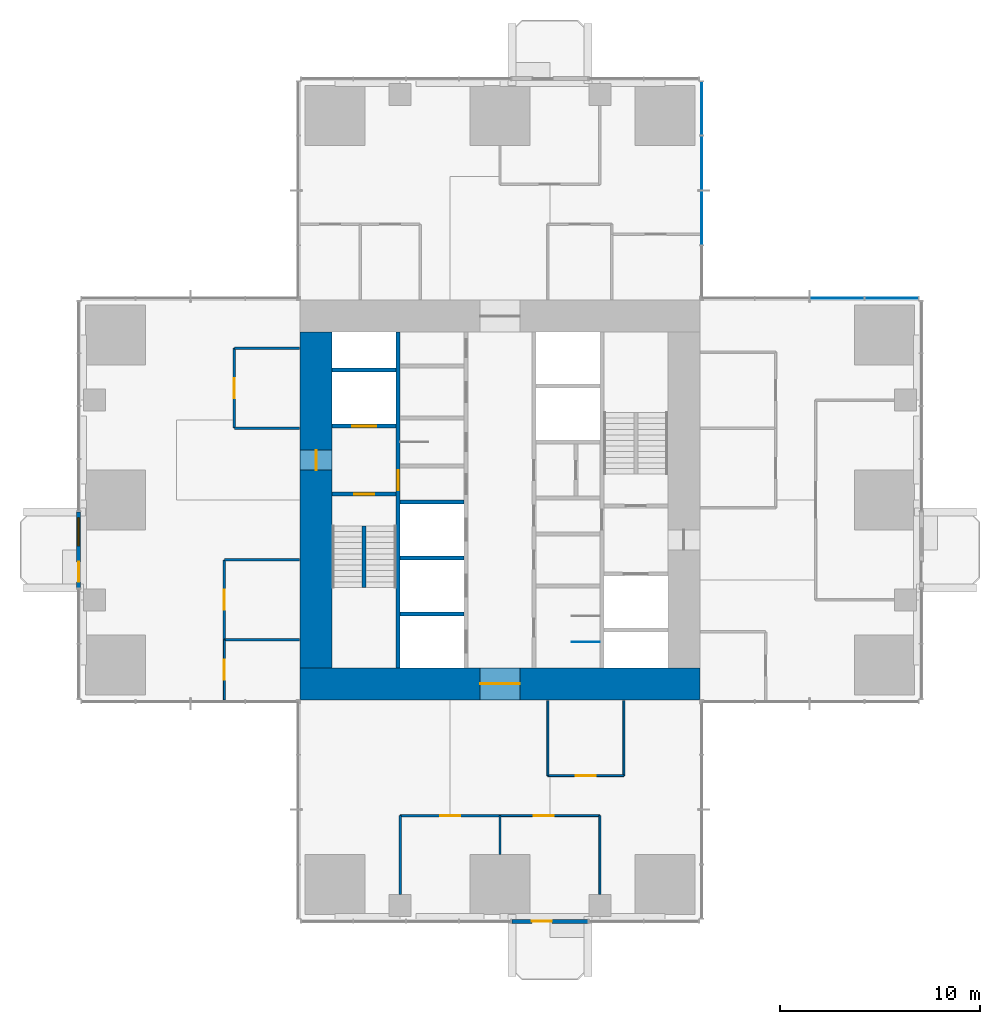
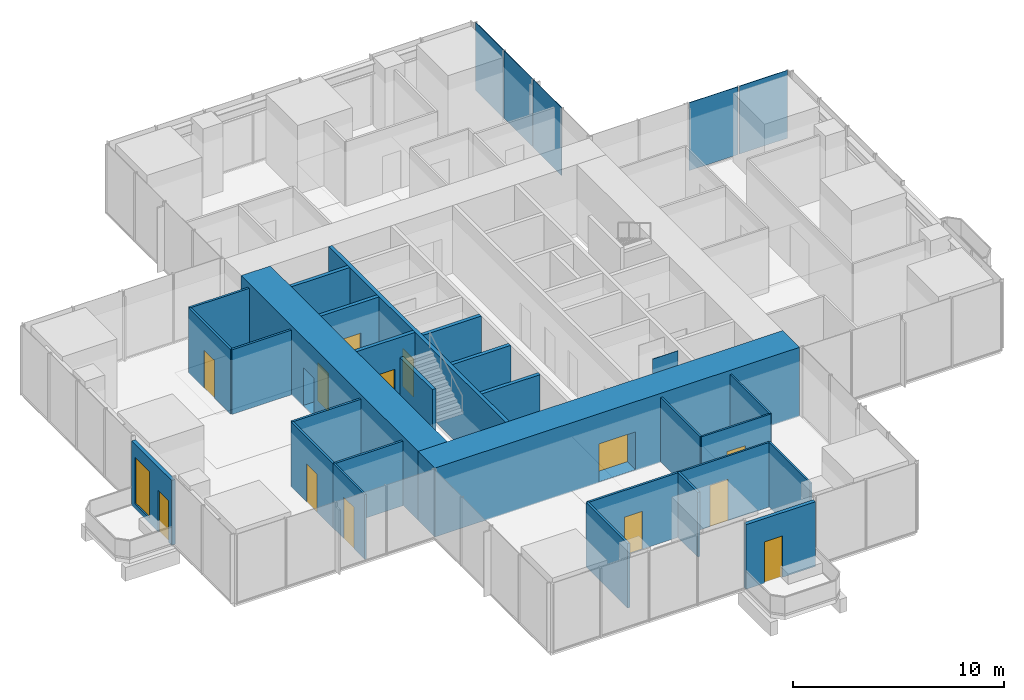
# One storey, part 8 of 13: 28 walls, 13 doors, 5 plates, 1 window, 14 openings, 2 elements without a shape of their own.
"""IFC4 building model written with IfcOpenShell, lengths in metres."""

from ifc_helpers import new_model, si_unit, direction, frame, frame_2d, origin, origin_2d, place, context, subcontext, project, spatial, rectangle, extrude, material, layer, layer_set, type_object, element, fill, aggregate, save


model = new_model("IFC4")

# Units and contexts
model_context = context("Model", 3, precision=1e-05, world=origin(), true_north=direction((0.0, 1.0)))
body_context = subcontext(model_context, "Body", "Model", "MODEL_VIEW")
ifc_project = project(units=[si_unit("LENGTHUNIT", "METRE"), si_unit("AREAUNIT", "SQUARE_METRE"), si_unit("VOLUMEUNIT", "CUBIC_METRE"), si_unit("PLANEANGLEUNIT", "RADIAN"), si_unit("MASSUNIT", "GRAM", prefix="KILO")], contexts=[model_context])

# Site, building, storey
site_placement = place(None, origin())
site = spatial("IfcSite", under=ifc_project, at=site_placement, CompositionType="ELEMENT")
building_placement = place(site_placement, origin())
building = spatial("IfcBuilding", under=site, at=building_placement, Name="Svetlomir Tower", CompositionType="ELEMENT")
storey_placement = place(building_placement, frame((0.0, 0.0, 152.5)))
storey = spatial("IfcBuildingStorey", under=building, at=storey_placement, Name="L36", CompositionType="ELEMENT", Elevation=152.5)

# Curtain wall, plates
ifc_material_1 = material(Name="Bronze anodised aluminium curtain wall", Category="aluminium")
curtain_wall_type = type_object("IfcCurtainWallType", Name="CURTAIN WALL CW1 TOWER OFFICE", PredefinedType="NOTDEFINED", material=ifc_material_1)
curtain_wall_1_placement = place(storey_placement, origin())
curtain_wall_1 = element("IfcCurtainWall", 1, at=curtain_wall_1_placement, inside=storey, type_object=curtain_wall_type, Name="Curtain wall CW1 L36", PredefinedType="NOTDEFINED")
ifc_material_2 = material(Name="Tinted double glazed unit", Category="glass")
ifc_layer_1 = layer(ifc_material_2, 0.031982421875)
ifc_layer_set_1 = layer_set([ifc_layer_1], Name="Tinted double glazed unit")
plate_type = type_object("IfcPlateType", Name="CW1 GLAZED PANEL 32", PredefinedType="CURTAIN_PANEL", material=ifc_layer_set_1)
plate_1_placement = place(storey_placement, frame((40.608642578125, 31.10009765625, 0.06494140625), z_axis=(0.0, 0.0, 1.0), x_axis=(-1.0, 0.0, 0.0)))
plate_1 = element("IfcPlate", 2, at=plate_1_placement, type_object=plate_type, Name="CW1 panel 1.1", PredefinedType="CURTAIN_PANEL", context=body_context, shape_type="SweptSolid", body=[
    extrude(rectangle(XDim=2.652587890625, YDim=0.031982421875, at=origin_2d()), origin(), (0.0, 0.0, 1.0), 3.93505859375),
])
plate_2_placement = place(storey_placement, frame((37.875, 31.10009765625, 0.06494140625), z_axis=(0.0, 0.0, 1.0), x_axis=(-1.0, 0.0, 0.0)))
plate_2 = element("IfcPlate", 3, at=plate_2_placement, type_object=plate_type, Name="CW1 panel 2.1", PredefinedType="CURTAIN_PANEL", context=body_context, shape_type="SweptSolid", body=[
    extrude(rectangle(XDim=2.68505859375, YDim=0.031982421875, at=origin_2d()), origin(), (0.0, 0.0, 1.0), 3.93505859375),
])
aggregate(curtain_wall_1, [plate_1, plate_2])

curtain_wall_2_placement = place(storey_placement, origin())
curtain_wall_2 = element("IfcCurtainWall", 4, at=curtain_wall_2_placement, inside=storey, type_object=curtain_wall_type, Name="Curtain wall CW1 L36", PredefinedType="NOTDEFINED")
plate_3_placement = place(storey_placement, frame((31.10009765625, 35.125, 0.06494140625), z_axis=(0.0, 0.0, 1.0), x_axis=(0.0, 1.0, 0.0)))
plate_3 = element("IfcPlate", 5, at=plate_3_placement, type_object=plate_type, Name="CW1 panel 2.1", PredefinedType="CURTAIN_PANEL", context=body_context, shape_type="SweptSolid", body=[
    extrude(rectangle(XDim=2.68505859375, YDim=0.031982421875, at=origin_2d()), origin(), (0.0, 0.0, 1.0), 3.93505859375),
])
plate_4_placement = place(storey_placement, frame((31.10009765625, 37.875, 0.06494140625), z_axis=(0.0, 0.0, 1.0), x_axis=(0.0, 1.0, 0.0)))
plate_4 = element("IfcPlate", 6, at=plate_4_placement, type_object=plate_type, Name="CW1 panel 3.1", PredefinedType="CURTAIN_PANEL", context=body_context, shape_type="SweptSolid", body=[
    extrude(rectangle(XDim=2.68505859375, YDim=0.031982421875, at=origin_2d()), origin(), (0.0, 0.0, 1.0), 3.93505859375),
])
plate_5_placement = place(storey_placement, frame((31.10009765625, 40.608642578125, 0.06494140625), z_axis=(0.0, 0.0, 1.0), x_axis=(0.0, 1.0, 0.0)))
plate_5 = element("IfcPlate", 7, at=plate_5_placement, type_object=plate_type, Name="CW1 panel 4.1", PredefinedType="CURTAIN_PANEL", context=body_context, shape_type="SweptSolid", body=[
    extrude(rectangle(XDim=2.652587890625, YDim=0.031982421875, at=origin_2d()), origin(), (0.0, 0.0, 1.0), 3.93505859375),
])
aggregate(curtain_wall_2, [plate_3, plate_4, plate_5])

# Wall, opening, door
ifc_material_3 = material(Name="Bronze anodised aluminium glazed screen", Category="aluminium")
ifc_layer_2 = layer(ifc_material_3, 0.199951171875)
ifc_layer_set_2 = layer_set([ifc_layer_2], Name="Bronze anodised aluminium glazed screen")
wall_type_1 = type_object("IfcWallType", Name="BALCONY SCREEN WALL 200", PredefinedType="USERDEFINED", material=ifc_layer_set_2)
wall_1_placement = place(storey_placement, frame((21.60009765625, -0.10009765625, 0.0), z_axis=(0.0, 0.0, 1.0), x_axis=(1.0, 0.0, 0.0)))
wall_1 = element("IfcWall", 8, at=wall_1_placement, inside=storey, type_object=wall_type_1, Name="Balcony screen S", ObjectType="GLAZED SCREEN", PredefinedType="USERDEFINED", context=body_context, shape_type="SweptSolid", body=[
    extrude(rectangle(XDim=3.7998046875, YDim=0.199951171875, at=frame_2d((1.89990234375, 0.0))), origin(), (0.0, 0.0, 1.0), 3.75),
])
opening_1_placement = place(wall_1_placement, frame((1.0, 0.0, 0.0)))
opening_1 = element("IfcOpeningElement", 9, at=opening_1_placement, cuts=wall_1, Name="Opening BD", PredefinedType="OPENING", context=body_context, shape_type="SweptSolid", body=[
    extrude(rectangle(XDim=1.0, YDim=2.39990234375, at=frame_2d((0.5, 1.199951171875))), frame((0.0, 0.10986328125, 0.0), z_axis=(0.0, -1.0, 0.0), x_axis=(1.0, 0.0, 0.0)), (0.0, 0.0, 1.0), 0.219970703125),
])
ifc_material_4 = material(Name="Bronze anodised aluminium glazed door", Category="aluminium")
door_type_1 = type_object("IfcDoorType", Name="BALCONY DOOR BD 1000x2400", OperationType="SINGLE_SWING_LEFT", PredefinedType="DOOR", material=ifc_material_4)
door_1_placement = place(opening_1_placement, origin())
door_1 = element("IfcDoor", 10, at=door_1_placement, inside=storey, type_object=door_type_1, Name="Balcony screen S door", OperationType="SINGLE_SWING_LEFT", OverallHeight=2.39990234375, OverallWidth=1.0, PredefinedType="DOOR", context=body_context, shape_type="SweptSolid", body=[
    extrude(rectangle(XDim=1.0, YDim=2.39990234375, at=frame_2d((0.5, 1.199951171875))), frame((0.0, 0.02490234375, 0.0), z_axis=(0.0, -1.0, 0.0), x_axis=(1.0, 0.0, 0.0)), (0.0, 0.0, 1.0), 0.050048828125),
])
fill(opening_1, door_1)

# Wall, openings, door, window
wall_2_placement = place(storey_placement, frame((-0.10009765625, 20.39990234375, 0.0), z_axis=(0.0, 0.0, 1.0), x_axis=(0.0, -1.0, 0.0)))
wall_2 = element("IfcWall", 11, at=wall_2_placement, inside=storey, type_object=wall_type_1, Name="Balcony screen W", ObjectType="GLAZED SCREEN", PredefinedType="USERDEFINED", context=body_context, shape_type="SweptSolid", body=[
    extrude(rectangle(XDim=3.7998046875, YDim=0.199951171875, at=frame_2d((1.89990234375, 0.0))), origin(), (0.0, 0.0, 1.0), 3.75),
])
opening_2_placement = place(wall_2_placement, frame((2.5, 0.0, 0.0)))
opening_2 = element("IfcOpeningElement", 12, at=opening_2_placement, cuts=wall_2, Name="Opening BD", PredefinedType="OPENING", context=body_context, shape_type="SweptSolid", body=[
    extrude(rectangle(XDim=1.0, YDim=2.39990234375, at=frame_2d((0.5, 1.199951171875))), frame((0.0, 0.10986328125, 0.0), z_axis=(0.0, -1.0, 0.0), x_axis=(1.0, 0.0, 0.0)), (0.0, 0.0, 1.0), 0.219970703125),
])
opening_3_placement = place(wall_2_placement, frame((0.300048828125, 0.0, 0.300048828125)))
opening_3 = element("IfcOpeningElement", 13, at=opening_3_placement, cuts=wall_2, Name="Opening WS2", PredefinedType="OPENING", context=body_context, shape_type="SweptSolid", body=[
    extrude(rectangle(XDim=1.39990234375, YDim=2.699951171875, at=frame_2d((0.699951171875, 1.35009765625))), frame((0.0, 0.10986328125, 0.0), z_axis=(0.0, -1.0, 0.0), x_axis=(1.0, 0.0, 0.0)), (0.0, 0.0, 1.0), 0.219970703125),
])
door_2_placement = place(opening_2_placement, origin())
door_2 = element("IfcDoor", 14, at=door_2_placement, inside=storey, type_object=door_type_1, Name="Balcony screen W door", OperationType="SINGLE_SWING_LEFT", OverallHeight=2.39990234375, OverallWidth=1.0, PredefinedType="DOOR", context=body_context, shape_type="SweptSolid", body=[
    extrude(rectangle(XDim=1.0, YDim=2.39990234375, at=frame_2d((0.5, 1.199951171875))), frame((0.0, 0.02490234375, 0.0), z_axis=(0.0, -1.0, 0.0), x_axis=(1.0, 0.0, 0.0)), (0.0, 0.0, 1.0), 0.050048828125),
])
fill(opening_2, door_2)
ifc_material_5 = material(Name="Bronze anodised aluminium window", Category="aluminium")
window_type = type_object("IfcWindowType", Name="SCREEN WINDOW WS2 1400x2700", PartitioningType="SINGLE_PANEL", PredefinedType="WINDOW", material=ifc_material_5)
window_placement = place(opening_3_placement, origin())
window = element("IfcWindow", 15, at=window_placement, inside=storey, type_object=window_type, Name="Balcony screen W window 1", OverallHeight=2.699951171875, OverallWidth=1.39990234375, PartitioningType="SINGLE_PANEL", PredefinedType="WINDOW", context=body_context, shape_type="SweptSolid", body=[
    extrude(rectangle(XDim=1.39990234375, YDim=2.699951171875, at=frame_2d((0.699951171875, 1.35009765625))), frame((0.0, 0.030029296875, 0.0), z_axis=(0.0, -1.0, 0.0), x_axis=(1.0, 0.0, 0.0)), (0.0, 0.0, 1.0), 0.06005859375),
])
fill(opening_3, window)

# Wall, opening, door
ifc_material_6 = material(Name="Concrete C60/75", Category="concrete")
ifc_layer_3 = layer(ifc_material_6, 0.199951171875)
ifc_layer_set_3 = layer_set([ifc_layer_3], Name="Concrete C60/75")
wall_type_2 = type_object("IfcWallType", Name="CORE INNER WALL 200", PredefinedType="SHEAR", material=ifc_layer_set_3)
wall_3_placement = place(storey_placement, frame((15.89990234375, 12.60009765625, -0.050048828125), z_axis=(0.0, 0.0, 1.0), x_axis=(0.0, 1.0, 0.0)))
wall_3 = element("IfcWall", 16, at=wall_3_placement, inside=storey, type_object=wall_type_2, Name="Core inner wall 15.9 L36", PredefinedType="SHEAR", context=body_context, shape_type="SweptSolid", body=[
    extrude(rectangle(XDim=16.7998046875, YDim=0.199951171875, at=frame_2d((8.39990234375, 0.0))), origin(), (0.0, 0.0, 1.0), 4.0),
])
opening_4_placement = place(wall_3_placement, frame((8.89990234375, 0.0, 0.050048828125)))
opening_4 = element("IfcOpeningElement", 17, at=opening_4_placement, cuts=wall_3, Name="Opening DF", PredefinedType="OPENING", context=body_context, shape_type="SweptSolid", body=[
    extrude(rectangle(XDim=1.0, YDim=2.199951171875, at=frame_2d((0.5, 1.10009765625))), frame((0.0, 0.10986328125, 0.0), z_axis=(0.0, -1.0, 0.0), x_axis=(1.0, 0.0, 0.0)), (0.0, 0.0, 1.0), 0.219970703125),
])
ifc_material_7 = material(Name="Steel fire door", Category="steel")
door_type_2 = type_object("IfcDoorType", Name="DOOR DF 1000x2200", OperationType="SINGLE_SWING_LEFT", PredefinedType="DOOR", material=ifc_material_7)
door_3_placement = place(opening_4_placement, origin())
door_3 = element("IfcDoor", 18, at=door_3_placement, inside=storey, type_object=door_type_2, Name="Core corridor west door L36", OperationType="SINGLE_SWING_LEFT", OverallHeight=2.199951171875, OverallWidth=1.0, PredefinedType="DOOR", context=body_context, shape_type="SweptSolid", body=[
    extrude(rectangle(XDim=1.0, YDim=2.199951171875, at=frame_2d((0.5, 1.10009765625))), frame((0.0, 0.02490234375, 0.0), z_axis=(0.0, -1.0, 0.0), x_axis=(1.0, 0.0, 0.0)), (0.0, 0.0, 1.0), 0.050048828125),
])
fill(opening_4, door_3)

wall_4_placement = place(storey_placement, frame((12.60009765625, 21.300048828125, -0.050048828125), z_axis=(0.0, 0.0, 1.0), x_axis=(1.0, 0.0, 0.0)))
wall_4 = element("IfcWall", 19, at=wall_4_placement, inside=storey, type_object=wall_type_2, Name="Core inner wall 12.6-15.8/21.3 L36", PredefinedType="SHEAR", context=body_context, shape_type="SweptSolid", body=[
    extrude(rectangle(XDim=3.199951171875, YDim=0.199951171875, at=frame_2d((1.60009765625, 0.0))), origin(), (0.0, 0.0, 1.0), 4.0),
])
opening_5_placement = place(wall_4_placement, frame((1.10009765625, 0.0, 0.050048828125)))
opening_5 = element("IfcOpeningElement", 20, at=opening_5_placement, cuts=wall_4, Name="Opening DF", PredefinedType="OPENING", context=body_context, shape_type="SweptSolid", body=[
    extrude(rectangle(XDim=1.0, YDim=2.199951171875, at=frame_2d((0.5, 1.10009765625))), frame((0.0, 0.10986328125, 0.0), z_axis=(0.0, -1.0, 0.0), x_axis=(1.0, 0.0, 0.0)), (0.0, 0.0, 1.0), 0.219970703125),
])
door_4_placement = place(opening_5_placement, origin())
door_4 = element("IfcDoor", 21, at=door_4_placement, inside=storey, type_object=door_type_2, Name="Stair S1 door L36", OperationType="SINGLE_SWING_LEFT", OverallHeight=2.199951171875, OverallWidth=1.0, PredefinedType="DOOR", context=body_context, shape_type="SweptSolid", body=[
    extrude(rectangle(XDim=1.0, YDim=2.199951171875, at=frame_2d((0.5, 1.10009765625))), frame((0.0, 0.02490234375, 0.0), z_axis=(0.0, -1.0, 0.0), x_axis=(1.0, 0.0, 0.0)), (0.0, 0.0, 1.0), 0.050048828125),
])
fill(opening_5, door_4)

wall_5_placement = place(storey_placement, frame((12.60009765625, 24.699951171875, -0.050048828125), z_axis=(0.0, 0.0, 1.0), x_axis=(1.0, 0.0, 0.0)))
wall_5 = element("IfcWall", 22, at=wall_5_placement, inside=storey, type_object=wall_type_2, Name="Core inner wall 12.6-15.8/24.7 L36", PredefinedType="SHEAR", context=body_context, shape_type="SweptSolid", body=[
    extrude(rectangle(XDim=3.199951171875, YDim=0.199951171875, at=frame_2d((1.60009765625, 0.0))), origin(), (0.0, 0.0, 1.0), 4.0),
])
opening_6_placement = place(wall_5_placement, frame((1.0, 0.0, 0.050048828125)))
opening_6 = element("IfcOpeningElement", 23, at=opening_6_placement, cuts=wall_5, Name="Opening LD3", PredefinedType="OPENING", context=body_context, shape_type="SweptSolid", body=[
    extrude(rectangle(XDim=1.199951171875, YDim=2.199951171875, at=frame_2d((0.60009765625, 1.10009765625))), frame((0.0, 0.10986328125, 0.0), z_axis=(0.0, -1.0, 0.0), x_axis=(1.0, 0.0, 0.0)), (0.0, 0.0, 1.0), 0.219970703125),
])
ifc_material_8 = material(Name="Stainless steel fire-rated landing door", Category="steel")
door_type_3 = type_object("IfcDoorType", Name="FIREFIGHTING LIFT LANDING DOOR LD3 1200x2200", OperationType="DOUBLE_DOOR_SLIDING", PredefinedType="DOOR", material=ifc_material_8)
door_5_placement = place(opening_6_placement, origin())
door_5 = element("IfcDoor", 24, at=door_5_placement, inside=storey, type_object=door_type_3, Name="Landing door lift FL1 L36", OperationType="DOUBLE_DOOR_SLIDING", OverallHeight=2.199951171875, OverallWidth=1.199951171875, PredefinedType="DOOR", context=body_context, shape_type="SweptSolid", body=[
    extrude(rectangle(XDim=1.199951171875, YDim=2.199951171875, at=frame_2d((0.60009765625, 1.10009765625))), frame((0.0, 0.02490234375, 0.0), z_axis=(0.0, -1.0, 0.0), x_axis=(1.0, 0.0, 0.0)), (0.0, 0.0, 1.0), 0.050048828125),
])
fill(opening_6, door_5)

# Walls
for number, where, z_axis, x_axis, name in (
    (25, (12.60009765625, 27.5, -0.050048828125), (0.0, 0.0, 1.0), (1.0, 0.0, 0.0), "Core inner wall 12.6-15.8/27.5 L36"),
    (26, (16.0, 15.300048828125, -0.050048828125), (0.0, 0.0, 1.0), (1.0, 0.0, 0.0), "Core inner wall 16-19.2/15.3 L36"),
    (27, (16.0, 18.10009765625, -0.050048828125), (0.0, 0.0, 1.0), (1.0, 0.0, 0.0), "Core inner wall 16-19.2/18.1 L36"),
    (28, (16.0, 20.89990234375, -0.050048828125), (0.0, 0.0, 1.0), (1.0, 0.0, 0.0), "Core inner wall 16-19.2/20.9 L36"),
):
    element("IfcWall", number, at=place(storey_placement, frame(where, z_axis=z_axis, x_axis=x_axis)), inside=storey, type_object=wall_type_2, Name=name, PredefinedType="SHEAR", context=body_context, shape_type="SweptSolid", body=[
        extrude(rectangle(XDim=3.199951171875, YDim=0.199951171875, at=frame_2d((1.60009765625, 0.0))), origin(), (0.0, 0.0, 1.0), 4.0),
    ])

# Wall, opening, door
ifc_material_9 = material(Name="Concrete C60/75", Category="concrete")
ifc_layer_4 = layer(ifc_material_9, 1.60009765625)
ifc_layer_set_4 = layer_set([ifc_layer_4], Name="Concrete C60/75")
wall_type_3 = type_object("IfcWallType", Name="CORE WALL 1600", PredefinedType="SHEAR", material=ifc_layer_set_4)
wall_6_placement = place(storey_placement, frame((11.0, 11.800048828125, -0.050048828125), z_axis=(0.0, 0.0, 1.0), x_axis=(1.0, 0.0, 0.0)))
wall_6 = element("IfcWall", 29, at=wall_6_placement, inside=storey, type_object=wall_type_3, Name="Core wall south L36", PredefinedType="SHEAR", context=body_context, shape_type="SweptSolid", body=[
    extrude(rectangle(XDim=20.0, YDim=1.60009765625, at=frame_2d((10.0, 0.0))), origin(), (0.0, 0.0, 1.0), 4.0),
])
opening_7_placement = place(wall_6_placement, frame((9.0, 0.0, 0.050048828125)))
opening_7 = element("IfcOpeningElement", 30, at=opening_7_placement, cuts=wall_6, Name="Opening DL", PredefinedType="OPENING", context=body_context, shape_type="SweptSolid", body=[
    extrude(rectangle(XDim=2.0, YDim=2.199951171875, at=frame_2d((1.0, 1.10009765625))), frame((0.0, 0.81005859375, 0.0), z_axis=(0.0, -1.0, 0.0), x_axis=(1.0, 0.0, 0.0)), (0.0, 0.0, 1.0), 1.6201171875),
])
ifc_material_10 = material(Name="Steel fire door", Category="steel")
door_type_4 = type_object("IfcDoorType", Name="DOOR DL 2000x2200", OperationType="DOUBLE_DOOR_SINGLE_SWING", PredefinedType="DOOR", material=ifc_material_10)
door_6_placement = place(opening_7_placement, origin())
door_6 = element("IfcDoor", 31, at=door_6_placement, inside=storey, type_object=door_type_4, Name="Lift lobby south door L36", OperationType="DOUBLE_DOOR_SINGLE_SWING", OverallHeight=2.199951171875, OverallWidth=2.0, PredefinedType="DOOR", context=body_context, shape_type="SweptSolid", body=[
    extrude(rectangle(XDim=2.0, YDim=2.199951171875, at=frame_2d((1.0, 1.10009765625))), frame((0.0, 0.02490234375, 0.0), z_axis=(0.0, -1.0, 0.0), x_axis=(1.0, 0.0, 0.0)), (0.0, 0.0, 1.0), 0.050048828125),
])
fill(opening_7, door_6)

wall_7_placement = place(storey_placement, frame((11.800048828125, 12.60009765625, -0.050048828125), z_axis=(0.0, 0.0, 1.0), x_axis=(0.0, 1.0, 0.0)))
wall_7 = element("IfcWall", 32, at=wall_7_placement, inside=storey, type_object=wall_type_3, Name="Core wall west L36", PredefinedType="SHEAR", context=body_context, shape_type="SweptSolid", body=[
    extrude(rectangle(XDim=16.7998046875, YDim=1.60009765625, at=frame_2d((8.39990234375, 0.0))), origin(), (0.0, 0.0, 1.0), 4.0),
])
opening_8_placement = place(wall_7_placement, frame((9.89990234375, 0.0, 0.050048828125)))
opening_8 = element("IfcOpeningElement", 33, at=opening_8_placement, cuts=wall_7, Name="Opening DF", PredefinedType="OPENING", context=body_context, shape_type="SweptSolid", body=[
    extrude(rectangle(XDim=1.0, YDim=2.199951171875, at=frame_2d((0.5, 1.10009765625))), frame((0.0, 0.81005859375, 0.0), z_axis=(0.0, -1.0, 0.0), x_axis=(1.0, 0.0, 0.0)), (0.0, 0.0, 1.0), 1.6201171875),
])
door_7_placement = place(opening_8_placement, origin())
door_7 = element("IfcDoor", 34, at=door_7_placement, inside=storey, type_object=door_type_2, Name="Firefighting lobby west door L36", OperationType="SINGLE_SWING_LEFT", OverallHeight=2.199951171875, OverallWidth=1.0, PredefinedType="DOOR", context=body_context, shape_type="SweptSolid", body=[
    extrude(rectangle(XDim=1.0, YDim=2.199951171875, at=frame_2d((0.5, 1.10009765625))), frame((0.0, 0.02490234375, 0.0), z_axis=(0.0, -1.0, 0.0), x_axis=(1.0, 0.0, 0.0)), (0.0, 0.0, 1.0), 0.050048828125),
])
fill(opening_8, door_7)

ifc_material_11 = material(Name="Framed laminated glass partition", Category="glass")
ifc_layer_5 = layer(ifc_material_11, 0.10009765625)
ifc_layer_set_5 = layer_set([ifc_layer_5], Name="Framed laminated glass partition")
wall_type_4 = type_object("IfcWallType", Name="GLAZED PARTITION 100", PredefinedType="PARTITIONING", material=ifc_layer_set_5)
wall_8_placement = place(storey_placement, frame((7.199951171875, 11.0, 0.0), z_axis=(0.0, 0.0, 1.0), x_axis=(0.0, 1.0, 0.0)))
wall_8 = element("IfcWall", 35, at=wall_8_placement, inside=storey, type_object=wall_type_4, Name="Glazed partition L36", PredefinedType="PARTITIONING", context=body_context, shape_type="SweptSolid", body=[
    extrude(rectangle(XDim=3.0, YDim=0.10009765625, at=frame_2d((1.5, 0.0))), origin(), (0.0, 0.0, 1.0), 3.75),
])
opening_9_placement = place(wall_8_placement, frame((1.0, 0.0, 0.0)))
opening_9 = element("IfcOpeningElement", 36, at=opening_9_placement, cuts=wall_8, Name="Opening DG", PredefinedType="OPENING", context=body_context, shape_type="SweptSolid", body=[
    extrude(rectangle(XDim=1.0, YDim=2.39990234375, at=frame_2d((0.5, 1.199951171875))), frame((0.0, 0.06005859375, 0.0), z_axis=(0.0, -1.0, 0.0), x_axis=(1.0, 0.0, 0.0)), (0.0, 0.0, 1.0), 0.1201171875),
])
ifc_material_12 = material(Name="Framed laminated glass door", Category="glass")
door_type_5 = type_object("IfcDoorType", Name="GLAZED DOOR DG 1000x2400", OperationType="SINGLE_SWING_LEFT", PredefinedType="DOOR", material=ifc_material_12)
door_8_placement = place(opening_9_placement, origin())
door_8 = element("IfcDoor", 37, at=door_8_placement, inside=storey, type_object=door_type_5, Name="Meeting room, 4 seats door L36", OperationType="SINGLE_SWING_RIGHT", OverallHeight=2.39990234375, OverallWidth=1.0, PredefinedType="DOOR", context=body_context, shape_type="SweptSolid", body=[
    extrude(rectangle(XDim=1.0, YDim=2.39990234375, at=frame_2d((0.5, 1.199951171875))), frame((0.0, 0.02490234375, 0.0), z_axis=(0.0, -1.0, 0.0), x_axis=(1.0, 0.0, 0.0)), (0.0, 0.0, 1.0), 0.050048828125),
])
fill(opening_9, door_8)

wall_9_placement = place(storey_placement, frame((21.0, 5.199951171875, 0.0), z_axis=(0.0, 0.0, 1.0), x_axis=(1.0, 0.0, 0.0)))
wall_9 = element("IfcWall", 38, at=wall_9_placement, inside=storey, type_object=wall_type_4, Name="Glazed partition L36", PredefinedType="PARTITIONING", context=body_context, shape_type="SweptSolid", body=[
    extrude(rectangle(XDim=5.0, YDim=0.10009765625, at=frame_2d((2.5, 0.0))), origin(), (0.0, 0.0, 1.0), 3.75),
])
opening_10_placement = place(wall_9_placement, frame((1.699951171875, 0.0, 0.0)))
opening_10 = element("IfcOpeningElement", 39, at=opening_10_placement, cuts=wall_9, Name="Opening DG", PredefinedType="OPENING", context=body_context, shape_type="SweptSolid", body=[
    extrude(rectangle(XDim=1.0, YDim=2.39990234375, at=frame_2d((0.5, 1.199951171875))), frame((0.0, 0.06005859375, 0.0), z_axis=(0.0, -1.0, 0.0), x_axis=(1.0, 0.0, 0.0)), (0.0, 0.0, 1.0), 0.1201171875),
])
door_9_placement = place(opening_10_placement, origin())
door_9 = element("IfcDoor", 40, at=door_9_placement, inside=storey, type_object=door_type_5, Name="Break-out and kitchenette door L36", OperationType="SINGLE_SWING_RIGHT", OverallHeight=2.39990234375, OverallWidth=1.0, PredefinedType="DOOR", context=body_context, shape_type="SweptSolid", body=[
    extrude(rectangle(XDim=1.0, YDim=2.39990234375, at=frame_2d((0.5, 1.199951171875))), frame((0.0, 0.02490234375, 0.0), z_axis=(0.0, -1.0, 0.0), x_axis=(1.0, 0.0, 0.0)), (0.0, 0.0, 1.0), 0.050048828125),
])
fill(opening_10, door_9)

# Wall
wall_10_placement = place(storey_placement, frame((23.39990234375, 7.199951171875, 0.0), z_axis=(0.0, 0.0, 1.0), x_axis=(0.0, 1.0, 0.0)))
element("IfcWall", 41, at=wall_10_placement, inside=storey, type_object=wall_type_4, Name="Glazed partition L36", PredefinedType="PARTITIONING", context=body_context, shape_type="SweptSolid", body=[
    extrude(rectangle(XDim=3.75, YDim=0.10009765625, at=frame_2d((1.875, 0.0))), origin(), (0.0, 0.0, 1.0), 3.75),
])

# Wall, opening, door
wall_11_placement = place(storey_placement, frame((23.39990234375, 7.199951171875, 0.0), z_axis=(0.0, 0.0, 1.0), x_axis=(1.0, 0.0, 0.0)))
wall_11 = element("IfcWall", 42, at=wall_11_placement, inside=storey, type_object=wall_type_4, Name="Glazed partition L36", PredefinedType="PARTITIONING", context=body_context, shape_type="SweptSolid", body=[
    extrude(rectangle(XDim=3.800048828125, YDim=0.10009765625, at=frame_2d((1.89990234375, 0.0))), origin(), (0.0, 0.0, 1.0), 3.75),
])
opening_11_placement = place(wall_11_placement, frame((1.39990234375, 0.0, 0.0)))
opening_11 = element("IfcOpeningElement", 43, at=opening_11_placement, cuts=wall_11, Name="Opening DG", PredefinedType="OPENING", context=body_context, shape_type="SweptSolid", body=[
    extrude(rectangle(XDim=1.0, YDim=2.39990234375, at=frame_2d((0.5, 1.199951171875))), frame((0.0, 0.06005859375, 0.0), z_axis=(0.0, -1.0, 0.0), x_axis=(1.0, 0.0, 0.0)), (0.0, 0.0, 1.0), 0.1201171875),
])
door_10_placement = place(opening_11_placement, origin())
door_10 = element("IfcDoor", 44, at=door_10_placement, inside=storey, type_object=door_type_5, Name="Meeting room, 6 seats door L36", OperationType="SINGLE_SWING_RIGHT", OverallHeight=2.39990234375, OverallWidth=1.0, PredefinedType="DOOR", context=body_context, shape_type="SweptSolid", body=[
    extrude(rectangle(XDim=1.0, YDim=2.39990234375, at=frame_2d((0.5, 1.199951171875))), frame((0.0, 0.02490234375, 0.0), z_axis=(0.0, -1.0, 0.0), x_axis=(1.0, 0.0, 0.0)), (0.0, 0.0, 1.0), 0.050048828125),
])
fill(opening_11, door_10)

# Walls
wall_12_placement = place(storey_placement, frame((26.0, 1.260009765625, 0.0), z_axis=(0.0, 0.0, 1.0), x_axis=(0.0, 1.0, 0.0)))
element("IfcWall", 45, at=wall_12_placement, inside=storey, type_object=wall_type_4, Name="Glazed partition L36", PredefinedType="PARTITIONING", context=body_context, shape_type="SweptSolid", body=[
    extrude(rectangle(XDim=3.93994140625, YDim=0.10009765625, at=frame_2d((1.969970703125, 0.0))), origin(), (0.0, 0.0, 1.0), 3.75),
])
wall_13_placement = place(storey_placement, frame((27.199951171875, 7.199951171875, 0.0), z_axis=(0.0, 0.0, 1.0), x_axis=(0.0, 1.0, 0.0)))
element("IfcWall", 46, at=wall_13_placement, inside=storey, type_object=wall_type_4, Name="Glazed partition L36", PredefinedType="PARTITIONING", context=body_context, shape_type="SweptSolid", body=[
    extrude(rectangle(XDim=3.75, YDim=0.10009765625, at=frame_2d((1.875, 0.0))), origin(), (0.0, 0.0, 1.0), 3.75),
])

# Wall, opening, door
ifc_material_13 = material(Name="Gypsum board on steel studs", Category="steel")
ifc_layer_6 = layer(ifc_material_13, 0.1201171875)
ifc_layer_set_6 = layer_set([ifc_layer_6], Name="Gypsum board on steel studs")
wall_type_5 = type_object("IfcWallType", Name="PARTITION 120", PredefinedType="PARTITIONING", material=ifc_layer_set_6)
wall_14_placement = place(storey_placement, frame((7.199951171875, 14.0, 0.0), z_axis=(0.0, 0.0, 1.0), x_axis=(0.0, 1.0, 0.0)))
wall_14 = element("IfcWall", 47, at=wall_14_placement, inside=storey, type_object=wall_type_5, Name="Partition L36", PredefinedType="PARTITIONING", context=body_context, shape_type="SweptSolid", body=[
    extrude(rectangle(XDim=4.0, YDim=0.1201171875, at=frame_2d((2.0, 0.0))), origin(), (0.0, 0.0, 1.0), 3.75),
])
opening_12_placement = place(wall_14_placement, frame((1.5, 0.0, 0.0)))
opening_12 = element("IfcOpeningElement", 48, at=opening_12_placement, cuts=wall_14, Name="Opening DR", PredefinedType="OPENING", context=body_context, shape_type="SweptSolid", body=[
    extrude(rectangle(XDim=1.0, YDim=2.199951171875, at=frame_2d((0.5, 1.10009765625))), frame((0.0, 0.070068359375, 0.0), z_axis=(0.0, -1.0, 0.0), x_axis=(1.0, 0.0, 0.0)), (0.0, 0.0, 1.0), 0.14013671875),
])
ifc_material_14 = material(Name="Timber door, glazed side light", Category="wood")
door_type_6 = type_object("IfcDoorType", Name="DOOR DR 1000x2200", OperationType="SINGLE_SWING_LEFT", PredefinedType="DOOR", material=ifc_material_14)
door_11_placement = place(opening_12_placement, origin())
door_11 = element("IfcDoor", 49, at=door_11_placement, inside=storey, type_object=door_type_6, Name="Podcast booth door L36", OperationType="SINGLE_SWING_LEFT", OverallHeight=2.199951171875, OverallWidth=1.0, PredefinedType="DOOR", context=body_context, shape_type="SweptSolid", body=[
    extrude(rectangle(XDim=1.0, YDim=2.199951171875, at=frame_2d((0.5, 1.10009765625))), frame((0.0, 0.02490234375, 0.0), z_axis=(0.0, -1.0, 0.0), x_axis=(1.0, 0.0, 0.0)), (0.0, 0.0, 1.0), 0.050048828125),
])
fill(opening_12, door_11)

# Walls
for number, where, z_axis, x_axis, name in (
    (50, (7.199951171875, 14.0, 0.0), (0.0, 0.0, 1.0), (1.0, 0.0, 0.0), "Partition L36"),
    (51, (7.199951171875, 18.0, 0.0), (0.0, 0.0, 1.0), (1.0, 0.0, 0.0), "Partition L36"),
):
    element("IfcWall", number, at=place(storey_placement, frame(where, z_axis=z_axis, x_axis=x_axis)), inside=storey, type_object=wall_type_5, Name=name, PredefinedType="PARTITIONING", context=body_context, shape_type="SweptSolid", body=[
        extrude(rectangle(XDim=3.75, YDim=0.1201171875, at=frame_2d((1.875, 0.0))), origin(), (0.0, 0.0, 1.0), 3.75),
    ])

# Wall, opening, door
wall_15_placement = place(storey_placement, frame((7.699951171875, 24.60009765625, 0.0), z_axis=(0.0, 0.0, 1.0), x_axis=(0.0, 1.0, 0.0)))
wall_15 = element("IfcWall", 52, at=wall_15_placement, inside=storey, type_object=wall_type_5, Name="Partition L36", PredefinedType="PARTITIONING", context=body_context, shape_type="SweptSolid", body=[
    extrude(rectangle(XDim=4.0, YDim=0.1201171875, at=frame_2d((2.0, 0.0))), origin(), (0.0, 0.0, 1.0), 3.75),
])
opening_13_placement = place(wall_15_placement, frame((1.5, 0.0, 0.0)))
opening_13 = element("IfcOpeningElement", 53, at=opening_13_placement, cuts=wall_15, Name="Opening DR", PredefinedType="OPENING", context=body_context, shape_type="SweptSolid", body=[
    extrude(rectangle(XDim=1.0, YDim=2.199951171875, at=frame_2d((0.5, 1.10009765625))), frame((0.0, 0.070068359375, 0.0), z_axis=(0.0, -1.0, 0.0), x_axis=(1.0, 0.0, 0.0)), (0.0, 0.0, 1.0), 0.14013671875),
])
door_12_placement = place(opening_13_placement, origin())
door_12 = element("IfcDoor", 54, at=door_12_placement, inside=storey, type_object=door_type_6, Name="Equipment store 2 door L36", OperationType="SINGLE_SWING_RIGHT", OverallHeight=2.199951171875, OverallWidth=1.0, PredefinedType="DOOR", context=body_context, shape_type="SweptSolid", body=[
    extrude(rectangle(XDim=1.0, YDim=2.199951171875, at=frame_2d((0.5, 1.10009765625))), frame((0.0, 0.02490234375, 0.0), z_axis=(0.0, -1.0, 0.0), x_axis=(1.0, 0.0, 0.0)), (0.0, 0.0, 1.0), 0.050048828125),
])
fill(opening_13, door_12)

# Walls
for number, where, z_axis, x_axis, name in (
    (55, (7.699951171875, 24.60009765625, 0.0), (0.0, 0.0, 1.0), (1.0, 0.0, 0.0), "Partition L36"),
    (56, (7.699951171875, 28.60009765625, 0.0), (0.0, 0.0, 1.0), (1.0, 0.0, 0.0), "Partition L36"),
):
    element("IfcWall", number, at=place(storey_placement, frame(where, z_axis=z_axis, x_axis=x_axis)), inside=storey, type_object=wall_type_5, Name=name, PredefinedType="PARTITIONING", context=body_context, shape_type="SweptSolid", body=[
        extrude(rectangle(XDim=3.25, YDim=0.1201171875, at=frame_2d((1.625, 0.0))), origin(), (0.0, 0.0, 1.0), 3.75),
    ])
wall_16_placement = place(storey_placement, frame((16.0, 1.260009765625, 0.0), z_axis=(0.0, 0.0, 1.0), x_axis=(0.0, 1.0, 0.0)))
element("IfcWall", 57, at=wall_16_placement, inside=storey, type_object=wall_type_5, Name="Partition L36", PredefinedType="PARTITIONING", context=body_context, shape_type="SweptSolid", body=[
    extrude(rectangle(XDim=3.93994140625, YDim=0.1201171875, at=frame_2d((1.969970703125, 0.0))), origin(), (0.0, 0.0, 1.0), 3.75),
])

# Wall, opening, door
wall_17_placement = place(storey_placement, frame((16.0, 5.199951171875, 0.0), z_axis=(0.0, 0.0, 1.0), x_axis=(1.0, 0.0, 0.0)))
wall_17 = element("IfcWall", 58, at=wall_17_placement, inside=storey, type_object=wall_type_5, Name="Partition L36", PredefinedType="PARTITIONING", context=body_context, shape_type="SweptSolid", body=[
    extrude(rectangle(XDim=5.0, YDim=0.1201171875, at=frame_2d((2.5, 0.0))), origin(), (0.0, 0.0, 1.0), 3.75),
])
opening_14_placement = place(wall_17_placement, frame((2.0, 0.0, 0.0)))
opening_14 = element("IfcOpeningElement", 59, at=opening_14_placement, cuts=wall_17, Name="Opening DR", PredefinedType="OPENING", context=body_context, shape_type="SweptSolid", body=[
    extrude(rectangle(XDim=1.0, YDim=2.199951171875, at=frame_2d((0.5, 1.10009765625))), frame((0.0, 0.070068359375, 0.0), z_axis=(0.0, -1.0, 0.0), x_axis=(1.0, 0.0, 0.0)), (0.0, 0.0, 1.0), 0.14013671875),
])
door_13_placement = place(opening_14_placement, origin())
door_13 = element("IfcDoor", 60, at=door_13_placement, inside=storey, type_object=door_type_6, Name="Head of communications office door L36", OperationType="SINGLE_SWING_LEFT", OverallHeight=2.199951171875, OverallWidth=1.0, PredefinedType="DOOR", context=body_context, shape_type="SweptSolid", body=[
    extrude(rectangle(XDim=1.0, YDim=2.199951171875, at=frame_2d((0.5, 1.10009765625))), frame((0.0, 0.02490234375, 0.0), z_axis=(0.0, -1.0, 0.0), x_axis=(1.0, 0.0, 0.0)), (0.0, 0.0, 1.0), 0.050048828125),
])
fill(opening_14, door_13)

# Walls
wall_18_placement = place(storey_placement, frame((21.0, 3.260009765625, 0.0), z_axis=(0.0, 0.0, 1.0), x_axis=(0.0, 1.0, 0.0)))
element("IfcWall", 61, at=wall_18_placement, inside=storey, type_object=wall_type_5, Name="Partition L36", PredefinedType="PARTITIONING", context=body_context, shape_type="SweptSolid", body=[
    extrude(rectangle(XDim=1.93994140625, YDim=0.1201171875, at=frame_2d((0.969970703125, 0.0))), origin(), (0.0, 0.0, 1.0), 3.75),
])
ifc_material_15 = material(Name="Concrete C60/75", Category="concrete")
ifc_layer_7 = layer(ifc_material_15, 0.199951171875)
ifc_layer_set_7 = layer_set([ifc_layer_7], Name="Concrete C60/75")
wall_type_6 = type_object("IfcWallType", Name="STAIR SPINE WALL 200", PredefinedType="PARTITIONING", material=ifc_layer_set_7)
wall_19_placement = place(storey_placement, frame((14.199951171875, 16.6201171875, 0.0), z_axis=(0.0, 0.0, 1.0), x_axis=(0.0, 1.0, 0.0)))
element("IfcWall", 62, at=wall_19_placement, inside=storey, type_object=wall_type_6, Name="Stair S1 spine wall L36", PredefinedType="PARTITIONING", context=body_context, shape_type="SweptSolid", body=[
    extrude(rectangle(XDim=3.079833984375, YDim=0.199951171875, at=frame_2d((1.5400390625, 0.0))), origin(), (0.0, 0.0, 1.0), 4.0),
])
ifc_material_16 = material(Name="Compact laminate panel", Category="plastic")
ifc_layer_8 = layer(ifc_material_16, 0.030029296875)
ifc_layer_set_8 = layer_set([ifc_layer_8], Name="Compact laminate panel")
wall_type_7 = type_object("IfcWallType", Name="WC CUBICLE PARTITION 30", PredefinedType="PARTITIONING", material=ifc_layer_set_8)
wall_20_placement = place(storey_placement, frame((24.60009765625, 13.89990234375, 0.0), z_axis=(0.0, 0.0, 1.0), x_axis=(1.0, 0.0, 0.0)))
element("IfcWall", 63, at=wall_20_placement, inside=storey, type_object=wall_type_7, Name="WC cubicle partition L36", PredefinedType="PARTITIONING", context=body_context, shape_type="SweptSolid", body=[
    extrude(rectangle(XDim=1.39990234375, YDim=0.030029296875, at=frame_2d((0.699951171875, 0.0))), origin(), (0.0, 0.0, 1.0), 3.75),
])

save(model, "model.ifc")
